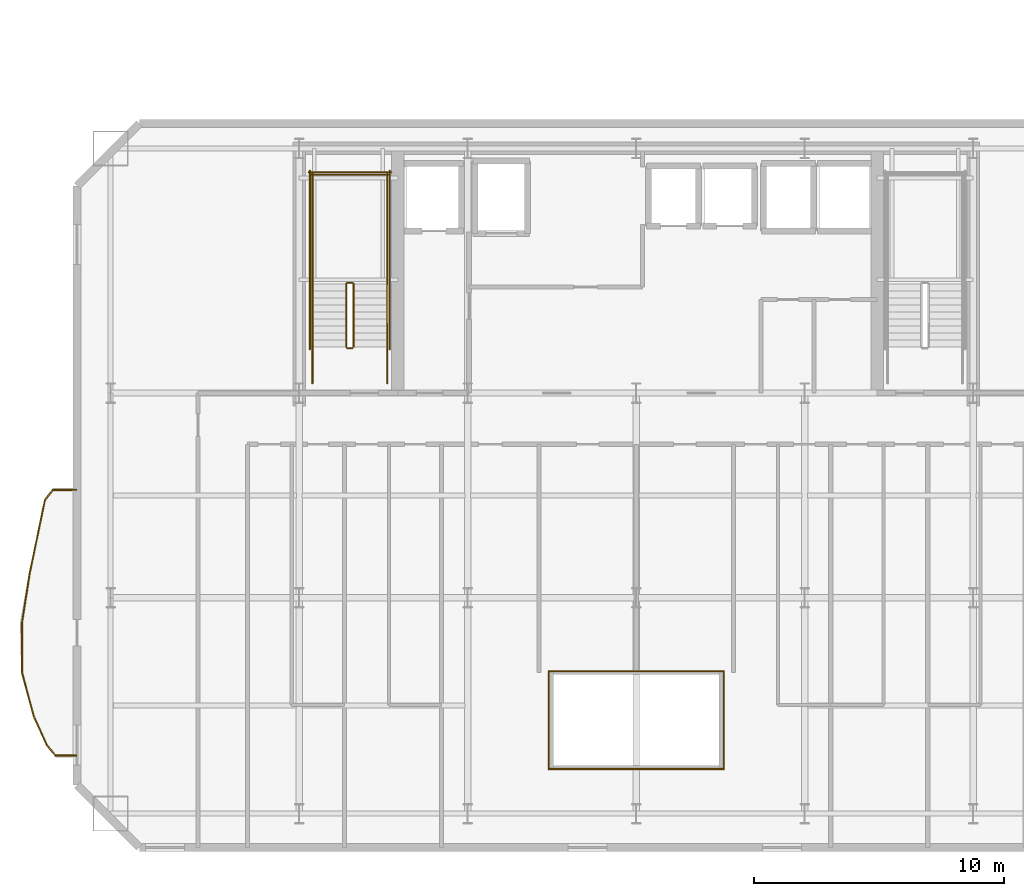
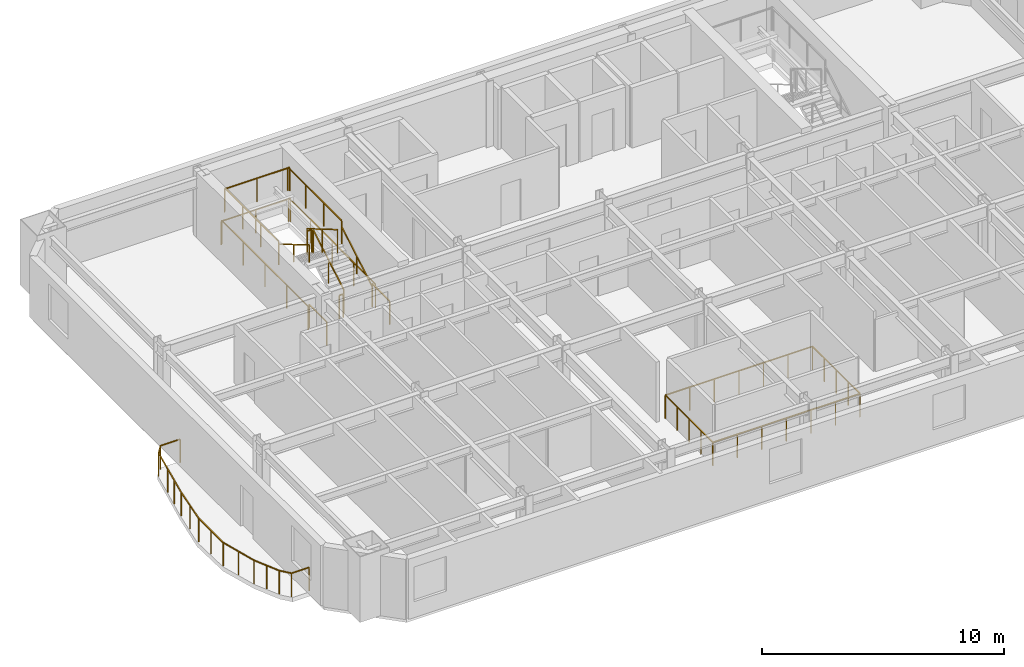
# One storey, part 11 of 14: 28 railings.
"""IFC4 building model written with IfcOpenShell, lengths in metres."""

from ifc_helpers import new_model, si_unit, direction, frame, origin, origin_2d, place, context, subcontext, project, spatial, rectangle, extrude, material, type_object, element, save


model = new_model("IFC4")

# Units and contexts
model_context = context("Model", 3, precision=1e-05, world=origin(), true_north=direction((0.0, 1.0)))
body_context = subcontext(model_context, "Body", "Model", "MODEL_VIEW")
ifc_project = project(units=[si_unit("LENGTHUNIT", "METRE"), si_unit("AREAUNIT", "SQUARE_METRE"), si_unit("VOLUMEUNIT", "CUBIC_METRE"), si_unit("PLANEANGLEUNIT", "RADIAN"), si_unit("MASSUNIT", "GRAM", prefix="KILO")], contexts=[model_context])

# Site, building, storey
site_placement = place(None, origin())
site = spatial("IfcSite", under=ifc_project, at=site_placement, CompositionType="ELEMENT")
building_placement = place(site_placement, origin())
building = spatial("IfcBuilding", under=site, at=building_placement, Name="Haevon Station Towers", CompositionType="ELEMENT")
storey_placement = place(building_placement, frame((0.0, 0.0, 116.39990234375)))
storey = spatial("IfcBuildingStorey", under=building, at=storey_placement, Name="L31", CompositionType="ELEMENT", Elevation=116.39990234375)

# Railings
ifc_material = material(Name="Steel S355", Category="steel")
railing_type_1 = type_object("IfcRailingType", Name="BAL-ATR1200", PredefinedType="BALUSTRADE", material=ifc_material)
railing_1_placement = place(storey_placement, frame((33.995361328125, 23.141357421875, 0.0)))
element("IfcRailing", 1, at=railing_1_placement, inside=storey, type_object=railing_type_1, Name="L31 Atrium Void Balustrade 1", PredefinedType="BALUSTRADE", context=body_context, shape_type="SweptSolid", body=[
    extrude(rectangle(XDim=0.048095703125, YDim=0.048095703125, at=origin_2d()), frame((0.0, 0.0, 1.17578125), z_axis=(1.0, 0.0, 0.0), x_axis=(0.0, 1.0, 0.0)), (0.0, 0.0, 1.0), 7.00927734375),
    extrude(rectangle(XDim=0.0419921875, YDim=0.0419921875, at=origin_2d()), origin(), (0.0, 0.0, 1.0), 1.15185546875),
    extrude(rectangle(XDim=0.0419921875, YDim=0.0419921875, at=origin_2d()), frame((1.168212890625, 0.0, 0.0)), (0.0, 0.0, 1.0), 1.15185546875),
    extrude(rectangle(XDim=0.0419921875, YDim=0.0419921875, at=origin_2d()), frame((2.33642578125, 0.0, 0.0)), (0.0, 0.0, 1.0), 1.15185546875),
    extrude(rectangle(XDim=0.0419921875, YDim=0.0419921875, at=origin_2d()), frame((3.504638671875, 0.0, 0.0)), (0.0, 0.0, 1.0), 1.15185546875),
    extrude(rectangle(XDim=0.0419921875, YDim=0.0419921875, at=origin_2d()), frame((4.6728515625, 0.0, 0.0)), (0.0, 0.0, 1.0), 1.15185546875),
    extrude(rectangle(XDim=0.0419921875, YDim=0.0419921875, at=origin_2d()), frame((5.841064453125, 0.0, 0.0)), (0.0, 0.0, 1.0), 1.15185546875),
    extrude(rectangle(XDim=0.0419921875, YDim=0.0419921875, at=origin_2d()), frame((7.00927734375, 0.0, 0.0)), (0.0, 0.0, 1.0), 1.15185546875),
])
railing_2_placement = place(storey_placement, frame((41.004638671875, 23.141357421875, 0.0)))
element("IfcRailing", 2, at=railing_2_placement, inside=storey, type_object=railing_type_1, Name="L31 Atrium Void Balustrade 2", PredefinedType="BALUSTRADE", context=body_context, shape_type="SweptSolid", body=[
    extrude(rectangle(XDim=0.048095703125, YDim=0.048095703125, at=origin_2d()), frame((0.0, 0.0, 1.17578125), z_axis=(0.0, 1.0, 0.0), x_axis=(-1.0, 0.0, 0.0)), (0.0, 0.0, 1.0), 3.917236328125),
    extrude(rectangle(XDim=0.0419921875, YDim=0.0419921875, at=origin_2d()), origin(), (0.0, 0.0, 1.0), 1.15185546875),
    extrude(rectangle(XDim=0.0419921875, YDim=0.0419921875, at=origin_2d()), frame((0.0, 0.979248046875, 0.0)), (0.0, 0.0, 1.0), 1.15185546875),
    extrude(rectangle(XDim=0.0419921875, YDim=0.0419921875, at=origin_2d()), frame((0.0, 1.95849609375, 0.0)), (0.0, 0.0, 1.0), 1.15185546875),
    extrude(rectangle(XDim=0.0419921875, YDim=0.0419921875, at=origin_2d()), frame((0.0, 2.93798828125, 0.0)), (0.0, 0.0, 1.0), 1.15185546875),
    extrude(rectangle(XDim=0.0419921875, YDim=0.0419921875, at=origin_2d()), frame((0.0, 3.917236328125, 0.0)), (0.0, 0.0, 1.0), 1.15185546875),
])
railing_3_placement = place(storey_placement, frame((41.004638671875, 27.05859375, 0.0)))
element("IfcRailing", 3, at=railing_3_placement, inside=storey, type_object=railing_type_1, Name="L31 Atrium Void Balustrade 3", PredefinedType="BALUSTRADE", context=body_context, shape_type="SweptSolid", body=[
    extrude(rectangle(XDim=0.048095703125, YDim=0.048095703125, at=origin_2d()), frame((0.0, 0.0, 1.17578125), z_axis=(-1.0, 0.0, 0.0), x_axis=(0.0, -1.0, 0.0)), (0.0, 0.0, 1.0), 7.00927734375),
    extrude(rectangle(XDim=0.0419921875, YDim=0.0419921875, at=origin_2d()), origin(), (0.0, 0.0, 1.0), 1.15185546875),
    extrude(rectangle(XDim=0.0419921875, YDim=0.0419921875, at=origin_2d()), frame((-1.168212890625, 0.0, 0.0)), (0.0, 0.0, 1.0), 1.15185546875),
    extrude(rectangle(XDim=0.0419921875, YDim=0.0419921875, at=origin_2d()), frame((-2.33642578125, 0.0, 0.0)), (0.0, 0.0, 1.0), 1.15185546875),
    extrude(rectangle(XDim=0.0419921875, YDim=0.0419921875, at=origin_2d()), frame((-3.504638671875, 0.0, 0.0)), (0.0, 0.0, 1.0), 1.15185546875),
    extrude(rectangle(XDim=0.0419921875, YDim=0.0419921875, at=origin_2d()), frame((-4.6728515625, 0.0, 0.0)), (0.0, 0.0, 1.0), 1.15185546875),
    extrude(rectangle(XDim=0.0419921875, YDim=0.0419921875, at=origin_2d()), frame((-5.841064453125, 0.0, 0.0)), (0.0, 0.0, 1.0), 1.15185546875),
    extrude(rectangle(XDim=0.0419921875, YDim=0.0419921875, at=origin_2d()), frame((-7.00927734375, 0.0, 0.0)), (0.0, 0.0, 1.0), 1.15185546875),
])
railing_4_placement = place(storey_placement, frame((33.995361328125, 27.05859375, 0.0)))
element("IfcRailing", 4, at=railing_4_placement, inside=storey, type_object=railing_type_1, Name="L31 Atrium Void Balustrade 4", PredefinedType="BALUSTRADE", context=body_context, shape_type="SweptSolid", body=[
    extrude(rectangle(XDim=0.048095703125, YDim=0.048095703125, at=origin_2d()), frame((0.0, 0.0, 1.17578125), z_axis=(0.0, -1.0, 0.0), x_axis=(1.0, 0.0, 0.0)), (0.0, 0.0, 1.0), 3.917236328125),
    extrude(rectangle(XDim=0.0419921875, YDim=0.0419921875, at=origin_2d()), origin(), (0.0, 0.0, 1.0), 1.15185546875),
    extrude(rectangle(XDim=0.0419921875, YDim=0.0419921875, at=origin_2d()), frame((0.0, -0.979248046875, 0.0)), (0.0, 0.0, 1.0), 1.15185546875),
    extrude(rectangle(XDim=0.0419921875, YDim=0.0419921875, at=origin_2d()), frame((0.0, -1.95849609375, 0.0)), (0.0, 0.0, 1.0), 1.15185546875),
    extrude(rectangle(XDim=0.0419921875, YDim=0.0419921875, at=origin_2d()), frame((0.0, -2.93798828125, 0.0)), (0.0, 0.0, 1.0), 1.15185546875),
    extrude(rectangle(XDim=0.0419921875, YDim=0.0419921875, at=origin_2d()), frame((0.0, -3.917236328125, 0.0)), (0.0, 0.0, 1.0), 1.15185546875),
])
railing_type_2 = type_object("IfcRailingType", Name="GRD-EXT1200", PredefinedType="GUARDRAIL", material=ifc_material)
railing_5_placement = place(storey_placement, frame((15.07666015625, 34.322021484375, 0.0)))
element("IfcRailing", 5, at=railing_5_placement, inside=storey, type_object=railing_type_2, Name="L31 Perimeter Guardrail 1", PredefinedType="GUARDRAIL", context=body_context, shape_type="SweptSolid", body=[
    extrude(rectangle(XDim=0.048095703125, YDim=0.048095703125, at=origin_2d()), frame((0.0, 0.0, 1.17578125), z_axis=(-0.999997857851, -0.002069853263, 0.0), x_axis=(0.002069853263, -0.999997857851, 0.0)), (0.0, 0.0, 1.0), 0.943603515625),
    extrude(rectangle(XDim=0.0419921875, YDim=0.0419921875, at=origin_2d()), origin(), (0.0, 0.0, 1.0), 1.15185546875),
    extrude(rectangle(XDim=0.0419921875, YDim=0.0419921875, at=origin_2d()), frame((-0.943603515625, -0.001953125, 0.0)), (0.0, 0.0, 1.0), 1.15185546875),
])
railing_6_placement = place(storey_placement, frame((14.133056640625, 34.320068359375, 0.0)))
element("IfcRailing", 6, at=railing_6_placement, inside=storey, type_object=railing_type_2, Name="L31 Perimeter Guardrail 2", PredefinedType="GUARDRAIL", context=body_context, shape_type="SweptSolid", body=[
    extrude(rectangle(XDim=0.048095703125, YDim=0.048095703125, at=origin_2d()), frame((0.0, 0.0, 1.17578125), z_axis=(-0.61835728621, -0.785897109417, 0.0), x_axis=(0.785897109417, -0.61835728621, 0.0)), (0.0, 0.0, 1.0), 0.523193359375),
    extrude(rectangle(XDim=0.0419921875, YDim=0.0419921875, at=origin_2d()), origin(), (0.0, 0.0, 1.0), 1.15185546875),
    extrude(rectangle(XDim=0.0419921875, YDim=0.0419921875, at=origin_2d()), frame((-0.323486328125, -0.4111328125, 0.0)), (0.0, 0.0, 1.0), 1.15185546875),
])
railing_7_placement = place(storey_placement, frame((13.8095703125, 33.908935546875, 0.0)))
element("IfcRailing", 7, at=railing_7_placement, inside=storey, type_object=railing_type_2, Name="L31 Perimeter Guardrail 3", PredefinedType="GUARDRAIL", context=body_context, shape_type="SweptSolid", body=[
    extrude(rectangle(XDim=0.048095703125, YDim=0.048095703125, at=origin_2d()), frame((0.0, 0.0, 1.17578125), z_axis=(-0.202240814384, -0.97933582238, 0.0), x_axis=(0.97933582238, -0.202240814384, 0.0)), (0.0, 0.0, 1.0), 1.195068359375),
    extrude(rectangle(XDim=0.0419921875, YDim=0.0419921875, at=origin_2d()), origin(), (0.0, 0.0, 1.0), 1.15185546875),
    extrude(rectangle(XDim=0.0419921875, YDim=0.0419921875, at=origin_2d()), frame((-0.24169921875, -1.17041015625, 0.0)), (0.0, 0.0, 1.0), 1.15185546875),
])
railing_8_placement = place(storey_placement, frame((13.56787109375, 32.738525390625, 0.0)))
element("IfcRailing", 8, at=railing_8_placement, inside=storey, type_object=railing_type_2, Name="L31 Perimeter Guardrail 4", PredefinedType="GUARDRAIL", context=body_context, shape_type="SweptSolid", body=[
    extrude(rectangle(XDim=0.048095703125, YDim=0.048095703125, at=origin_2d()), frame((0.0, 0.0, 1.17578125), z_axis=(-0.203550270134, -0.979064496103, 0.0), x_axis=(0.979064496103, -0.203550270134, 0.0)), (0.0, 0.0, 1.0), 1.785888671875),
    extrude(rectangle(XDim=0.0419921875, YDim=0.0419921875, at=origin_2d()), origin(), (0.0, 0.0, 1.0), 1.15185546875),
    extrude(rectangle(XDim=0.0419921875, YDim=0.0419921875, at=origin_2d()), frame((-0.181640625, -0.874267578125, 0.0)), (0.0, 0.0, 1.0), 1.15185546875),
    extrude(rectangle(XDim=0.0419921875, YDim=0.0419921875, at=origin_2d()), frame((-0.363525390625, -1.74853515625, 0.0)), (0.0, 0.0, 1.0), 1.15185546875),
])
railing_9_placement = place(storey_placement, frame((13.204345703125, 30.989990234375, 0.0)))
element("IfcRailing", 9, at=railing_9_placement, inside=storey, type_object=railing_type_2, Name="L31 Perimeter Guardrail 5", PredefinedType="GUARDRAIL", context=body_context, shape_type="SweptSolid", body=[
    extrude(rectangle(XDim=0.048095703125, YDim=0.048095703125, at=origin_2d()), frame((0.0, 0.0, 1.17578125), z_axis=(-0.153359781656, -0.988170419194, 0.0), x_axis=(0.988170419194, -0.153359781656, 0.0)), (0.0, 0.0, 1.0), 2.013916015625),
    extrude(rectangle(XDim=0.0419921875, YDim=0.0419921875, at=origin_2d()), origin(), (0.0, 0.0, 1.0), 1.15185546875),
    extrude(rectangle(XDim=0.0419921875, YDim=0.0419921875, at=origin_2d()), frame((-0.154296875, -0.9951171875, 0.0)), (0.0, 0.0, 1.0), 1.15185546875),
    extrude(rectangle(XDim=0.0419921875, YDim=0.0419921875, at=origin_2d()), frame((-0.308837890625, -1.989990234375, 0.0)), (0.0, 0.0, 1.0), 1.15185546875),
])
railing_10_placement = place(storey_placement, frame((12.8955078125, 29.0, 0.0)))
element("IfcRailing", 10, at=railing_10_placement, inside=storey, type_object=railing_type_2, Name="L31 Perimeter Guardrail 6", PredefinedType="GUARDRAIL", context=body_context, shape_type="SweptSolid", body=[
    extrude(rectangle(XDim=0.048095703125, YDim=0.048095703125, at=origin_2d()), frame((0.0, 0.0, 1.17578125), z_axis=(0.000857107558, -0.999999632683, 0.0), x_axis=(0.999999632683, 0.000857107558, 0.0)), (0.0, 0.0, 1.0), 1.993896484375),
    extrude(rectangle(XDim=0.0419921875, YDim=0.0419921875, at=origin_2d()), origin(), (0.0, 0.0, 1.0), 1.15185546875),
    extrude(rectangle(XDim=0.0419921875, YDim=0.0419921875, at=origin_2d()), frame((0.0009765625, -0.9970703125, 0.0)), (0.0, 0.0, 1.0), 1.15185546875),
    extrude(rectangle(XDim=0.0419921875, YDim=0.0419921875, at=origin_2d()), frame((0.001708984375, -1.993896484375, 0.0)), (0.0, 0.0, 1.0), 1.15185546875),
])
railing_11_placement = place(storey_placement, frame((12.897216796875, 27.006103515625, 0.0)))
element("IfcRailing", 11, at=railing_11_placement, inside=storey, type_object=railing_type_2, Name="L31 Perimeter Guardrail 7", PredefinedType="GUARDRAIL", context=body_context, shape_type="SweptSolid", body=[
    extrude(rectangle(XDim=0.048095703125, YDim=0.048095703125, at=origin_2d()), frame((0.0, 0.0, 1.17578125), z_axis=(0.257140906123, -0.966373920591, 0.0), x_axis=(0.966373920591, 0.257140906123, 0.0)), (0.0, 0.0, 1.0), 1.805908203125),
    extrude(rectangle(XDim=0.0419921875, YDim=0.0419921875, at=origin_2d()), origin(), (0.0, 0.0, 1.0), 1.15185546875),
    extrude(rectangle(XDim=0.0419921875, YDim=0.0419921875, at=origin_2d()), frame((0.232177734375, -0.87255859375, 0.0)), (0.0, 0.0, 1.0), 1.15185546875),
    extrude(rectangle(XDim=0.0419921875, YDim=0.0419921875, at=origin_2d()), frame((0.46435546875, -1.7451171875, 0.0)), (0.0, 0.0, 1.0), 1.15185546875),
])
railing_12_placement = place(storey_placement, frame((13.361572265625, 25.260986328125, 0.0)))
element("IfcRailing", 12, at=railing_12_placement, inside=storey, type_object=railing_type_2, Name="L31 Perimeter Guardrail 8", PredefinedType="GUARDRAIL", context=body_context, shape_type="SweptSolid", body=[
    extrude(rectangle(XDim=0.048095703125, YDim=0.048095703125, at=origin_2d()), frame((0.0, 0.0, 1.17578125), z_axis=(0.415661077418, -0.909519581273, 0.0), x_axis=(0.909519581273, 0.415661077418, 0.0)), (0.0, 0.0, 1.0), 1.286376953125),
    extrude(rectangle(XDim=0.0419921875, YDim=0.0419921875, at=origin_2d()), origin(), (0.0, 0.0, 1.0), 1.15185546875),
    extrude(rectangle(XDim=0.0419921875, YDim=0.0419921875, at=origin_2d()), frame((0.267333984375, -0.5849609375, 0.0)), (0.0, 0.0, 1.0), 1.15185546875),
    extrude(rectangle(XDim=0.0419921875, YDim=0.0419921875, at=origin_2d()), frame((0.53466796875, -1.169921875, 0.0)), (0.0, 0.0, 1.0), 1.15185546875),
])
railing_13_placement = place(storey_placement, frame((13.896240234375, 24.091064453125, 0.0)))
element("IfcRailing", 13, at=railing_13_placement, inside=storey, type_object=railing_type_2, Name="L31 Perimeter Guardrail 9", PredefinedType="GUARDRAIL", context=body_context, shape_type="SweptSolid", body=[
    extrude(rectangle(XDim=0.048095703125, YDim=0.048095703125, at=origin_2d()), frame((0.0, 0.0, 1.17578125), z_axis=(0.639870328751, -0.768482896611, 0.0), x_axis=(0.768482896611, 0.639870328751, 0.0)), (0.0, 0.0, 1.0), 0.535400390625),
    extrude(rectangle(XDim=0.0419921875, YDim=0.0419921875, at=origin_2d()), origin(), (0.0, 0.0, 1.0), 1.15185546875),
    extrude(rectangle(XDim=0.0419921875, YDim=0.0419921875, at=origin_2d()), frame((0.342529296875, -0.411376953125, 0.0)), (0.0, 0.0, 1.0), 1.15185546875),
])
railing_14_placement = place(storey_placement, frame((14.23876953125, 23.6796875, 0.0)))
element("IfcRailing", 14, at=railing_14_placement, inside=storey, type_object=railing_type_2, Name="L31 Perimeter Guardrail 10", PredefinedType="GUARDRAIL", context=body_context, shape_type="SweptSolid", body=[
    extrude(rectangle(XDim=0.048095703125, YDim=0.048095703125, at=origin_2d()), frame((0.0, 0.0, 1.17578125), z_axis=(0.999997919967, -0.002039622797, 0.0), x_axis=(0.002039622797, 0.999997919967, 0.0)), (0.0, 0.0, 1.0), 0.837890625),
    extrude(rectangle(XDim=0.0419921875, YDim=0.0419921875, at=origin_2d()), origin(), (0.0, 0.0, 1.0), 1.15185546875),
    extrude(rectangle(XDim=0.0419921875, YDim=0.0419921875, at=origin_2d()), frame((0.837890625, -0.001708984375, 0.0)), (0.0, 0.0, 1.0), 1.15185546875),
])
railing_type_3 = type_object("IfcRailingType", Name="GRD-STR1200", PredefinedType="GUARDRAIL", material=ifc_material)
railing_15_placement = place(storey_placement, frame((26.179931640625, 40.050048828125, 0.1650390625)))
element("IfcRailing", 15, at=railing_15_placement, inside=storey, type_object=railing_type_3, Name="L31 ST1 Stair Guard 1", PredefinedType="GUARDRAIL", context=body_context, shape_type="SweptSolid", body=[
    extrude(rectangle(XDim=0.048095703125, YDim=0.048095703125, at=origin_2d()), frame((0.0, 0.0, 1.17578125), z_axis=(0.0, 0.86152411907, 0.507716645641), x_axis=(-1.0, 0.0, 0.0)), (0.0, 0.0, 1.0), 2.925048828125),
    extrude(rectangle(XDim=0.0419921875, YDim=0.0419921875, at=origin_2d()), origin(), (0.0, 0.0, 1.0), 1.15185546875),
    extrude(rectangle(XDim=0.0419921875, YDim=0.0419921875, at=origin_2d()), frame((0.0, 1.260009765625, 0.74267578125)), (0.0, 0.0, 1.0), 1.15185546875),
    extrude(rectangle(XDim=0.0419921875, YDim=0.0419921875, at=origin_2d()), frame((0.0, 2.52001953125, 1.485107421875)), (0.0, 0.0, 1.0), 1.15185546875),
])
railing_16_placement = place(storey_placement, frame((26.1298828125, 42.6201171875, 1.650146484375)))
element("IfcRailing", 16, at=railing_16_placement, inside=storey, type_object=railing_type_3, Name="L31 ST1 Stair Guard 2", PredefinedType="GUARDRAIL", context=body_context, shape_type="SweptSolid", body=[
    extrude(rectangle(XDim=0.048095703125, YDim=0.048095703125, at=origin_2d()), frame((0.0, 0.0, 1.17578125), z_axis=(-1.0, 0.0, 0.0), x_axis=(0.0, -1.0, 0.0)), (0.0, 0.0, 1.0), 0.199951171875),
    extrude(rectangle(XDim=0.0419921875, YDim=0.0419921875, at=origin_2d()), origin(), (0.0, 0.0, 1.0), 1.15185546875),
    extrude(rectangle(XDim=0.0419921875, YDim=0.0419921875, at=origin_2d()), frame((-0.199951171875, 0.0, 0.0)), (0.0, 0.0, 1.0), 1.15185546875),
])
for number, where, name in (
    (17, (27.530029296875, 42.570068359375, 1.650146484375), "L31 ST1 Stair Guard 3"),
    (18, (24.530029296875, 42.570068359375, 1.650146484375), "L31 ST1 Stair Guard 4"),
):
    element("IfcRailing", number, at=place(storey_placement, frame(where)), inside=storey, type_object=railing_type_3, Name=name, PredefinedType="GUARDRAIL", context=body_context, shape_type="SweptSolid", body=[
        extrude(rectangle(XDim=0.048095703125, YDim=0.048095703125, at=origin_2d()), frame((0.0, 0.0, 1.17578125), z_axis=(0.0, 1.0, 0.0), x_axis=(-1.0, 0.0, 0.0)), (0.0, 0.0, 1.0), 4.429931640625),
        extrude(rectangle(XDim=0.0419921875, YDim=0.0419921875, at=origin_2d()), origin(), (0.0, 0.0, 1.0), 1.15185546875),
        extrude(rectangle(XDim=0.0419921875, YDim=0.0419921875, at=origin_2d()), frame((0.0, 1.4765625, 0.0)), (0.0, 0.0, 1.0), 1.15185546875),
        extrude(rectangle(XDim=0.0419921875, YDim=0.0419921875, at=origin_2d()), frame((0.0, 2.953369140625, 0.0)), (0.0, 0.0, 1.0), 1.15185546875),
        extrude(rectangle(XDim=0.0419921875, YDim=0.0419921875, at=origin_2d()), frame((0.0, 4.429931640625, 0.0)), (0.0, 0.0, 1.0), 1.15185546875),
    ])
railing_17_placement = place(storey_placement, frame((27.580078125, 46.949951171875, 1.650146484375)))
element("IfcRailing", 19, at=railing_17_placement, inside=storey, type_object=railing_type_3, Name="L31 ST1 Stair Guard 5", PredefinedType="GUARDRAIL", context=body_context, shape_type="SweptSolid", body=[
    extrude(rectangle(XDim=0.048095703125, YDim=0.048095703125, at=origin_2d()), frame((0.0, 0.0, 1.17578125), z_axis=(-1.0, 0.0, 0.0), x_axis=(0.0, -1.0, 0.0)), (0.0, 0.0, 1.0), 3.10009765625),
    extrude(rectangle(XDim=0.0419921875, YDim=0.0419921875, at=origin_2d()), origin(), (0.0, 0.0, 1.0), 1.15185546875),
    extrude(rectangle(XDim=0.0419921875, YDim=0.0419921875, at=origin_2d()), frame((-1.550048828125, 0.0, 0.0)), (0.0, 0.0, 1.0), 1.15185546875),
    extrude(rectangle(XDim=0.0419921875, YDim=0.0419921875, at=origin_2d()), frame((-3.10009765625, 0.0, 0.0)), (0.0, 0.0, 1.0), 1.15185546875),
])
railing_18_placement = place(storey_placement, frame((25.8798828125, 42.570068359375, 1.815185546875)))
element("IfcRailing", 20, at=railing_18_placement, inside=storey, type_object=railing_type_3, Name="L31 ST1 Stair Guard 6", PredefinedType="GUARDRAIL", context=body_context, shape_type="SweptSolid", body=[
    extrude(rectangle(XDim=0.048095703125, YDim=0.048095703125, at=origin_2d()), frame((0.0, 0.0, 1.17578125), z_axis=(0.0, -0.861560626758, 0.507654692109), x_axis=(1.0, 0.0, 0.0)), (0.0, 0.0, 1.0), 2.925048828125),
    extrude(rectangle(XDim=0.0419921875, YDim=0.0419921875, at=origin_2d()), origin(), (0.0, 0.0, 1.0), 1.15185546875),
    extrude(rectangle(XDim=0.0419921875, YDim=0.0419921875, at=origin_2d()), frame((0.0, -1.260009765625, 0.742431640625)), (0.0, 0.0, 1.0), 1.15185546875),
    extrude(rectangle(XDim=0.0419921875, YDim=0.0419921875, at=origin_2d()), frame((0.0, -2.52001953125, 1.48486328125)), (0.0, 0.0, 1.0), 1.15185546875),
])
railing_19_placement = place(storey_placement, frame((26.1298828125, 40.0, 0.0)))
element("IfcRailing", 21, at=railing_19_placement, inside=storey, type_object=railing_type_3, Name="L31 ST1 Stair Guard 7", PredefinedType="GUARDRAIL", context=body_context, shape_type="SweptSolid", body=[
    extrude(rectangle(XDim=0.048095703125, YDim=0.048095703125, at=origin_2d()), frame((0.0, 0.0, 1.17578125), z_axis=(-1.0, 0.0, 0.0), x_axis=(0.0, -1.0, 0.0)), (0.0, 0.0, 1.0), 0.199951171875),
    extrude(rectangle(XDim=0.0419921875, YDim=0.0419921875, at=origin_2d()), origin(), (0.0, 0.0, 1.0), 1.15185546875),
    extrude(rectangle(XDim=0.0419921875, YDim=0.0419921875, at=origin_2d()), frame((-0.199951171875, 0.0, 0.0)), (0.0, 0.0, 1.0), 1.15185546875),
])
for number, where, name in (
    (22, (27.530029296875, 38.60009765625, 0.0), "L31 ST1 Stair Guard 8"),
    (23, (24.530029296875, 38.60009765625, 0.0), "L31 ST1 Stair Guard 9"),
):
    element("IfcRailing", number, at=place(storey_placement, frame(where)), inside=storey, type_object=railing_type_3, Name=name, PredefinedType="GUARDRAIL", context=body_context, shape_type="SweptSolid", body=[
        extrude(rectangle(XDim=0.048095703125, YDim=0.048095703125, at=origin_2d()), frame((0.0, 0.0, 1.17578125), z_axis=(0.0, 1.0, 0.0), x_axis=(-1.0, 0.0, 0.0)), (0.0, 0.0, 1.0), 1.449951171875),
        extrude(rectangle(XDim=0.0419921875, YDim=0.0419921875, at=origin_2d()), origin(), (0.0, 0.0, 1.0), 1.15185546875),
        extrude(rectangle(XDim=0.0419921875, YDim=0.0419921875, at=origin_2d()), frame((0.0, 1.449951171875, 0.0)), (0.0, 0.0, 1.0), 1.15185546875),
    ])
for number, where, name in (
    (24, (27.6298828125, 39.949951171875, 0.0), "L31 ST1 Stair Guard 10"),
    (25, (24.429931640625, 39.949951171875, 0.0), "L31 ST1 Stair Guard 11"),
):
    element("IfcRailing", number, at=place(storey_placement, frame(where)), inside=storey, type_object=railing_type_3, Name=name, PredefinedType="GUARDRAIL", context=body_context, shape_type="SweptSolid", body=[
        extrude(rectangle(XDim=0.048095703125, YDim=0.048095703125, at=origin_2d()), frame((0.0, 0.0, 1.17578125), z_axis=(0.0, 1.0, 0.0), x_axis=(-1.0, 0.0, 0.0)), (0.0, 0.0, 1.0), 7.150146484375),
        extrude(rectangle(XDim=0.0419921875, YDim=0.0419921875, at=origin_2d()), origin(), (0.0, 0.0, 1.0), 1.15185546875),
        extrude(rectangle(XDim=0.0419921875, YDim=0.0419921875, at=origin_2d()), frame((0.0, 1.78759765625, 0.0)), (0.0, 0.0, 1.0), 1.15185546875),
        extrude(rectangle(XDim=0.0419921875, YDim=0.0419921875, at=origin_2d()), frame((0.0, 3.5751953125, 0.0)), (0.0, 0.0, 1.0), 1.15185546875),
        extrude(rectangle(XDim=0.0419921875, YDim=0.0419921875, at=origin_2d()), frame((0.0, 5.362548828125, 0.0)), (0.0, 0.0, 1.0), 1.15185546875),
        extrude(rectangle(XDim=0.0419921875, YDim=0.0419921875, at=origin_2d()), frame((0.0, 7.150146484375, 0.0)), (0.0, 0.0, 1.0), 1.15185546875),
    ])
railing_20_placement = place(storey_placement, frame((27.679931640625, 47.050048828125, 0.0)))
element("IfcRailing", 26, at=railing_20_placement, inside=storey, type_object=railing_type_3, Name="L31 ST1 Stair Guard 12", PredefinedType="GUARDRAIL", context=body_context, shape_type="SweptSolid", body=[
    extrude(rectangle(XDim=0.048095703125, YDim=0.048095703125, at=origin_2d()), frame((0.0, 0.0, 1.17578125), z_axis=(-1.0, 0.0, 0.0), x_axis=(0.0, -1.0, 0.0)), (0.0, 0.0, 1.0), 3.300048828125),
    extrude(rectangle(XDim=0.0419921875, YDim=0.0419921875, at=origin_2d()), origin(), (0.0, 0.0, 1.0), 1.15185546875),
    extrude(rectangle(XDim=0.0419921875, YDim=0.0419921875, at=origin_2d()), frame((-1.64990234375, 0.0, 0.0)), (0.0, 0.0, 1.0), 1.15185546875),
    extrude(rectangle(XDim=0.0419921875, YDim=0.0419921875, at=origin_2d()), frame((-3.300048828125, 0.0, 0.0)), (0.0, 0.0, 1.0), 1.15185546875),
])
railing_type_4 = type_object("IfcRailingType", Name="HND-STR900", PredefinedType="HANDRAIL", material=ifc_material)
railing_21_placement = place(storey_placement, frame((27.530029296875, 40.050048828125, 0.1650390625)))
element("IfcRailing", 27, at=railing_21_placement, inside=storey, type_object=railing_type_4, Name="L31 ST1 Stair Handrail 1", PredefinedType="HANDRAIL", context=body_context, shape_type="SweptSolid", body=[
    extrude(rectangle(XDim=0.048095703125, YDim=0.048095703125, at=origin_2d()), frame((0.0, 0.0, 0.8759765625), z_axis=(0.0, 0.86152411907, 0.507716645641), x_axis=(-1.0, 0.0, 0.0)), (0.0, 0.0, 1.0), 2.925048828125),
    extrude(rectangle(XDim=0.0419921875, YDim=0.0419921875, at=origin_2d()), origin(), (0.0, 0.0, 1.0), 0.851806640625),
    extrude(rectangle(XDim=0.0419921875, YDim=0.0419921875, at=origin_2d()), frame((0.0, 1.260009765625, 0.74267578125)), (0.0, 0.0, 1.0), 0.851806640625),
    extrude(rectangle(XDim=0.0419921875, YDim=0.0419921875, at=origin_2d()), frame((0.0, 2.52001953125, 1.485107421875)), (0.0, 0.0, 1.0), 0.851806640625),
])
railing_22_placement = place(storey_placement, frame((24.530029296875, 42.570068359375, 1.815185546875)))
element("IfcRailing", 28, at=railing_22_placement, inside=storey, type_object=railing_type_4, Name="L31 ST1 Stair Handrail 2", PredefinedType="HANDRAIL", context=body_context, shape_type="SweptSolid", body=[
    extrude(rectangle(XDim=0.048095703125, YDim=0.048095703125, at=origin_2d()), frame((0.0, 0.0, 0.8759765625), z_axis=(0.0, -0.861560626758, 0.507654692109), x_axis=(1.0, 0.0, 0.0)), (0.0, 0.0, 1.0), 2.925048828125),
    extrude(rectangle(XDim=0.0419921875, YDim=0.0419921875, at=origin_2d()), origin(), (0.0, 0.0, 1.0), 0.851806640625),
    extrude(rectangle(XDim=0.0419921875, YDim=0.0419921875, at=origin_2d()), frame((0.0, -1.260009765625, 0.742431640625)), (0.0, 0.0, 1.0), 0.851806640625),
    extrude(rectangle(XDim=0.0419921875, YDim=0.0419921875, at=origin_2d()), frame((0.0, -2.52001953125, 1.48486328125)), (0.0, 0.0, 1.0), 0.851806640625),
])

save(model, "model.ifc")
